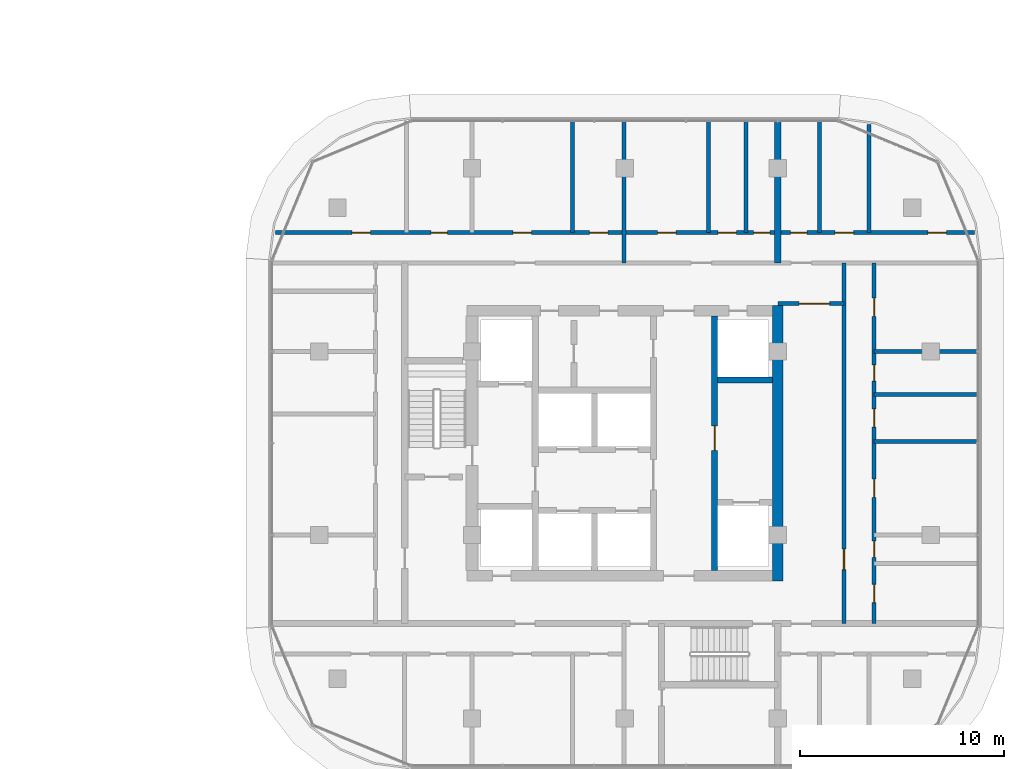
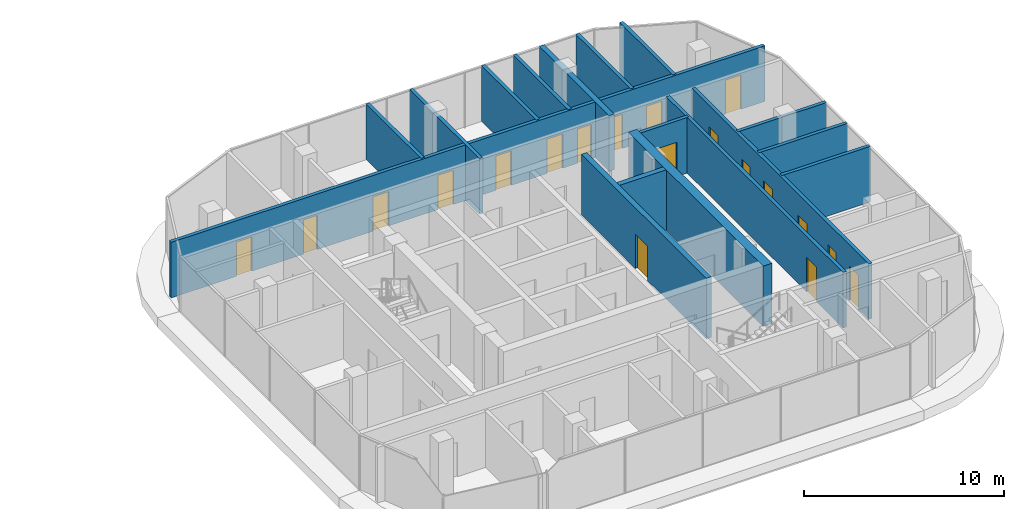
# One storey, part 24 of 36: 19 doors, 17 walls, 19 openings.
"""IFC4 building model written with IfcOpenShell, lengths in metres."""

from ifc_helpers import new_model, si_unit, direction, frame, frame_2d, origin, place, context, subcontext, project, spatial, rectangle, extrude, material, layer, layer_set, type_object, element, fill, save


model = new_model("IFC4")

# Units and contexts
model_context = context("Model", 3, precision=1e-05, world=origin(), true_north=direction((0.0, 1.0)))
body_context = subcontext(model_context, "Body", "Model", "MODEL_VIEW")
ifc_project = project(units=[si_unit("LENGTHUNIT", "METRE"), si_unit("AREAUNIT", "SQUARE_METRE"), si_unit("VOLUMEUNIT", "CUBIC_METRE"), si_unit("PLANEANGLEUNIT", "RADIAN"), si_unit("MASSUNIT", "GRAM", prefix="KILO")], contexts=[model_context])

# Site, building, storey
site_placement = place(None, origin())
site = spatial("IfcSite", under=ifc_project, at=site_placement, CompositionType="ELEMENT")
building_placement = place(site_placement, origin())
building = spatial("IfcBuilding", under=site, at=building_placement, Name="Ogive Portal Towers", CompositionType="ELEMENT")
storey_placement = place(building_placement, frame((0.0, 0.0, 63.10009765625)))
storey = spatial("IfcBuildingStorey", under=building, at=storey_placement, Name="L14", CompositionType="ELEMENT", Elevation=63.10009765625)

# Wall, opening, door
ifc_material_1 = material(Name="Concrete C60/75", Category="concrete")
ifc_layer_1 = layer(ifc_material_1, 0.300048828125)
ifc_layer_set_1 = layer_set([ifc_layer_1], Name="CORE WALL 300 C60")
wall_type_1 = type_object("IfcWallType", Name="CORE WALL 300 C60", PredefinedType="SHEAR", material=ifc_layer_set_1)
wall_1_placement = place(storey_placement, frame((140.89990234375, 24.75, 0.0), z_axis=(0.0, 0.0, 1.0), x_axis=(0.0, 1.0, 0.0)))
wall_1 = element("IfcWall", 1, at=wall_1_placement, inside=storey, type_object=wall_type_1, Name="Tower B core wall BX3 L14", PredefinedType="SHEAR", context=body_context, shape_type="SweptSolid", body=[
    extrude(rectangle(XDim=12.5, YDim=0.300048828125, at=frame_2d((6.25, 0.0))), origin(), (0.0, 0.0, 1.0), 3.699951171875),
])
opening_1_placement = place(wall_1_placement, frame((5.89990234375, 0.0, 0.0)))
opening_1 = element("IfcOpeningElement", 2, at=opening_1_placement, cuts=wall_1, Name="Opening B04-044", PredefinedType="OPENING", context=body_context, shape_type="SweptSolid", body=[
    extrude(rectangle(XDim=1.199951171875, YDim=2.10009765625, at=frame_2d((0.60009765625, 1.050048828125))), frame((0.0, 0.16015625, 0.0), z_axis=(0.0, -1.0, 0.0), x_axis=(1.0, 0.0, 0.0)), (0.0, 0.0, 1.0), 0.320068359375),
])
ifc_material_2 = material(Name="Steel fire door", Category="steel")
door_type_1 = type_object("IfcDoorType", Name="DT-SWING-1200x2100-FD90S", OperationType="SINGLE_SWING_LEFT", PredefinedType="DOOR", material=ifc_material_2)
door_1_placement = place(opening_1_placement, origin())
door_1 = element("IfcDoor", 3, at=door_1_placement, inside=storey, type_object=door_type_1, Name="Door B04-044", OperationType="SINGLE_SWING_RIGHT", OverallHeight=2.10009765625, OverallWidth=1.199951171875, PredefinedType="DOOR", context=body_context, shape_type="SweptSolid", body=[
    extrude(rectangle(XDim=1.199951171875, YDim=2.10009765625, at=frame_2d((0.60009765625, 1.050048828125))), frame((0.0, 0.02490234375, 0.0), z_axis=(0.0, -1.0, 0.0), x_axis=(1.0, 0.0, 0.0)), (0.0, 0.0, 1.0), 0.050048828125),
])
fill(opening_1, door_1)

# Walls
wall_2_placement = place(storey_placement, frame((141.050048828125, 34.10009765625, 0.0), z_axis=(0.0, 0.0, 1.0), x_axis=(1.0, 0.0, 0.0)))
element("IfcWall", 4, at=wall_2_placement, inside=storey, type_object=wall_type_1, Name="Tower B core wall BY7 L14", PredefinedType="SHEAR", context=body_context, shape_type="SweptSolid", body=[
    extrude(rectangle(XDim=2.699951171875, YDim=0.300048828125, at=frame_2d((1.35009765625, 0.0))), origin(), (0.0, 0.0, 1.0), 3.699951171875),
])
ifc_layer_2 = layer(ifc_material_1, 0.5)
ifc_layer_set_2 = layer_set([ifc_layer_2], Name="CORE WALL 500 C60")
wall_type_2 = type_object("IfcWallType", Name="CORE WALL 500 C60", PredefinedType="SHEAR", material=ifc_layer_set_2)
wall_3_placement = place(storey_placement, frame((144.0, 24.25, 0.0), z_axis=(0.0, 0.0, 1.0), x_axis=(0.0, 1.0, 0.0)))
element("IfcWall", 5, at=wall_3_placement, inside=storey, type_object=wall_type_2, Name="Tower B core wall BE L14", PredefinedType="SHEAR", context=body_context, shape_type="SweptSolid", body=[
    extrude(rectangle(XDim=13.5, YDim=0.5, at=frame_2d((6.75, 0.0))), origin(), (0.0, 0.0, 1.0), 3.699951171875),
])
ifc_material_3 = material(Name="Gypsum board partition on steel studs", Category="steel")
ifc_layer_3 = layer(ifc_material_3, 0.199951171875)
ifc_layer_set_3 = layer_set([ifc_layer_3], Name="WT-PART-200-EI 60")
wall_type_3 = type_object("IfcWallType", Name="WT-PART-200-EI 60", PredefinedType="PARTITIONING", material=ifc_layer_set_3)
for number, where, z_axis, x_axis, name in (
    (6, (148.72998046875, 31.091064453125, 0.0), (0.0, 0.0, 1.0), (1.0, 0.0, 0.0), "Wall L14:w011"),
    (7, (148.72998046875, 33.39111328125, 0.0), (0.0, 0.0, 1.0), (1.0, 0.0, 0.0), "Wall L14:w013"),
    (8, (148.72998046875, 35.5, 0.0), (0.0, 0.0, 1.0), (1.0, 0.0, 0.0), "Wall L14:w016"),
):
    element("IfcWall", number, at=place(storey_placement, frame(where, z_axis=z_axis, x_axis=x_axis)), inside=storey, type_object=wall_type_3, Name=name, PredefinedType="PARTITIONING", context=body_context, shape_type="SweptSolid", body=[
        extrude(rectangle(XDim=5.10009765625, YDim=0.199951171875, at=frame_2d((2.550048828125, 0.0))), origin(), (0.0, 0.0, 1.0), 3.39990234375),
    ])

# Wall, opening, door
wall_4_placement = place(storey_placement, frame((144.02001953125, 37.85009765625, 0.0), z_axis=(0.0, 0.0, 1.0), x_axis=(1.0, 0.0, 0.0)))
wall_4 = element("IfcWall", 9, at=wall_4_placement, inside=storey, type_object=wall_type_3, Name="Wall L14:w018", PredefinedType="PARTITIONING", context=body_context, shape_type="SweptSolid", body=[
    extrude(rectangle(XDim=3.22998046875, YDim=0.199951171875, at=frame_2d((1.614990234375, 0.0))), origin(), (0.0, 0.0, 1.0), 3.39990234375),
])
opening_2_placement = place(wall_4_placement, frame((1.030029296875, 0.0, 0.0)))
opening_2 = element("IfcOpeningElement", 10, at=opening_2_placement, cuts=wall_4, Name="Opening B04-001", PredefinedType="OPENING", context=body_context, shape_type="SweptSolid", body=[
    extrude(rectangle(XDim=1.5, YDim=2.10009765625, at=frame_2d((0.75, 1.050048828125))), frame((0.0, 0.10986328125, 0.0), z_axis=(0.0, -1.0, 0.0), x_axis=(1.0, 0.0, 0.0)), (0.0, 0.0, 1.0), 0.219970703125),
])
door_type_2 = type_object("IfcDoorType", Name="DT-SWING-1500x2100-FD60S", OperationType="SINGLE_SWING_LEFT", PredefinedType="DOOR", material=ifc_material_2)
door_2_placement = place(opening_2_placement, origin())
door_2 = element("IfcDoor", 11, at=door_2_placement, inside=storey, type_object=door_type_2, Name="Door B04-001", OperationType="SINGLE_SWING_LEFT", OverallHeight=2.10009765625, OverallWidth=1.5, PredefinedType="DOOR", context=body_context, shape_type="SweptSolid", body=[
    extrude(rectangle(XDim=1.5, YDim=2.10009765625, at=frame_2d((0.75, 1.050048828125))), frame((0.0, 0.02490234375, 0.0), z_axis=(0.0, -1.0, 0.0), x_axis=(1.0, 0.0, 0.0)), (0.0, 0.0, 1.0), 0.050048828125),
])
fill(opening_2, door_2)

# Wall, openings, doors
wall_5_placement = place(storey_placement, frame((119.345947265625, 41.330078125, 0.0), z_axis=(0.0, 0.0, 1.0), x_axis=(1.0, 0.0, 0.0)))
wall_5 = element("IfcWall", 12, at=wall_5_placement, inside=storey, type_object=wall_type_3, Name="Wall L14:w021", PredefinedType="PARTITIONING", context=body_context, shape_type="SweptSolid", body=[
    extrude(rectangle(XDim=34.30810546875, YDim=0.199951171875, at=frame_2d((17.154052734375, 0.0))), origin(), (0.0, 0.0, 1.0), 3.39990234375),
])
opening_3_placement = place(wall_5_placement, frame((3.764892578125, 0.0, 0.0)))
opening_3 = element("IfcOpeningElement", 13, at=opening_3_placement, cuts=wall_5, Name="Opening B04-006", PredefinedType="OPENING", context=body_context, shape_type="SweptSolid", body=[
    extrude(rectangle(XDim=0.89990234375, YDim=2.10009765625, at=frame_2d((0.449951171875, 1.050048828125))), frame((0.0, 0.10986328125, 0.0), z_axis=(0.0, -1.0, 0.0), x_axis=(1.0, 0.0, 0.0)), (0.0, 0.0, 1.0), 0.219970703125),
])
opening_4_placement = place(wall_5_placement, frame((7.64501953125, 0.0, 0.0)))
opening_4 = element("IfcOpeningElement", 14, at=opening_4_placement, cuts=wall_5, Name="Opening B04-007", PredefinedType="OPENING", context=body_context, shape_type="SweptSolid", body=[
    extrude(rectangle(XDim=0.800048828125, YDim=2.10009765625, at=frame_2d((0.39990234375, 1.050048828125))), frame((0.0, 0.10986328125, 0.0), z_axis=(0.0, -1.0, 0.0), x_axis=(1.0, 0.0, 0.0)), (0.0, 0.0, 1.0), 0.219970703125),
])
opening_5_placement = place(wall_5_placement, frame((11.6708984375, 0.0, 0.0)))
opening_5 = element("IfcOpeningElement", 15, at=opening_5_placement, cuts=wall_5, Name="Opening B04-008", PredefinedType="OPENING", context=body_context, shape_type="SweptSolid", body=[
    extrude(rectangle(XDim=0.89990234375, YDim=2.10009765625, at=frame_2d((0.449951171875, 1.050048828125))), frame((0.0, 0.10986328125, 0.0), z_axis=(0.0, -1.0, 0.0), x_axis=(1.0, 0.0, 0.0)), (0.0, 0.0, 1.0), 0.219970703125),
])
opening_6_placement = place(wall_5_placement, frame((15.4208984375, 0.0, 0.0)))
opening_6 = element("IfcOpeningElement", 16, at=opening_6_placement, cuts=wall_5, Name="Opening B04-009", PredefinedType="OPENING", context=body_context, shape_type="SweptSolid", body=[
    extrude(rectangle(XDim=0.89990234375, YDim=2.10009765625, at=frame_2d((0.449951171875, 1.050048828125))), frame((0.0, 0.10986328125, 0.0), z_axis=(0.0, -1.0, 0.0), x_axis=(1.0, 0.0, 0.0)), (0.0, 0.0, 1.0), 0.219970703125),
])
opening_7_placement = place(wall_5_placement, frame((18.756103515625, 0.0, 0.0)))
opening_7 = element("IfcOpeningElement", 17, at=opening_7_placement, cuts=wall_5, Name="Opening B04-011", PredefinedType="OPENING", context=body_context, shape_type="SweptSolid", body=[
    extrude(rectangle(XDim=0.89990234375, YDim=2.10009765625, at=frame_2d((0.449951171875, 1.050048828125))), frame((0.0, 0.10986328125, 0.0), z_axis=(0.0, -1.0, 0.0), x_axis=(1.0, 0.0, 0.0)), (0.0, 0.0, 1.0), 0.219970703125),
])
opening_8_placement = place(wall_5_placement, frame((21.72509765625, 0.0, 0.0)))
opening_8 = element("IfcOpeningElement", 18, at=opening_8_placement, cuts=wall_5, Name="Opening B04-012", PredefinedType="OPENING", context=body_context, shape_type="SweptSolid", body=[
    extrude(rectangle(XDim=0.89990234375, YDim=2.10009765625, at=frame_2d((0.449951171875, 1.050048828125))), frame((0.0, 0.10986328125, 0.0), z_axis=(0.0, -1.0, 0.0), x_axis=(1.0, 0.0, 0.0)), (0.0, 0.0, 1.0), 0.219970703125),
])
opening_9_placement = place(wall_5_placement, frame((23.472900390625, 0.0, 0.0)))
opening_9 = element("IfcOpeningElement", 19, at=opening_9_placement, cuts=wall_5, Name="Opening B04-013", PredefinedType="OPENING", context=body_context, shape_type="SweptSolid", body=[
    extrude(rectangle(XDim=0.800048828125, YDim=2.10009765625, at=frame_2d((0.39990234375, 1.050048828125))), frame((0.0, 0.10986328125, 0.0), z_axis=(0.0, -1.0, 0.0), x_axis=(1.0, 0.0, 0.0)), (0.0, 0.0, 1.0), 0.219970703125),
])
opening_10_placement = place(wall_5_placement, frame((25.281982421875, 0.0, 0.0)))
opening_10 = element("IfcOpeningElement", 20, at=opening_10_placement, cuts=wall_5, Name="Opening B04-015", PredefinedType="OPENING", context=body_context, shape_type="SweptSolid", body=[
    extrude(rectangle(XDim=0.800048828125, YDim=2.10009765625, at=frame_2d((0.39990234375, 1.050048828125))), frame((0.0, 0.10986328125, 0.0), z_axis=(0.0, -1.0, 0.0), x_axis=(1.0, 0.0, 0.0)), (0.0, 0.0, 1.0), 0.219970703125),
])
opening_11_placement = place(wall_5_placement, frame((27.471923828125, 0.0, 0.0)))
opening_11 = element("IfcOpeningElement", 21, at=opening_11_placement, cuts=wall_5, Name="Opening B04-016", PredefinedType="OPENING", context=body_context, shape_type="SweptSolid", body=[
    extrude(rectangle(XDim=0.89990234375, YDim=2.10009765625, at=frame_2d((0.449951171875, 1.050048828125))), frame((0.0, 0.10986328125, 0.0), z_axis=(0.0, -1.0, 0.0), x_axis=(1.0, 0.0, 0.0)), (0.0, 0.0, 1.0), 0.219970703125),
])
opening_12_placement = place(wall_5_placement, frame((32.02490234375, 0.0, 0.0)))
opening_12 = element("IfcOpeningElement", 22, at=opening_12_placement, cuts=wall_5, Name="Opening B04-017", PredefinedType="OPENING", context=body_context, shape_type="SweptSolid", body=[
    extrude(rectangle(XDim=0.89990234375, YDim=2.10009765625, at=frame_2d((0.449951171875, 1.050048828125))), frame((0.0, 0.10986328125, 0.0), z_axis=(0.0, -1.0, 0.0), x_axis=(1.0, 0.0, 0.0)), (0.0, 0.0, 1.0), 0.219970703125),
])
door_type_3 = type_object("IfcDoorType", Name="DT-SWING-800x2100-FD60S", OperationType="SINGLE_SWING_LEFT", PredefinedType="DOOR", material=ifc_material_2)
door_3_placement = place(opening_4_placement, origin())
door_3 = element("IfcDoor", 23, at=door_3_placement, inside=storey, type_object=door_type_3, Name="Door B04-007", OperationType="SINGLE_SWING_LEFT", OverallHeight=2.10009765625, OverallWidth=0.800048828125, PredefinedType="DOOR", context=body_context, shape_type="SweptSolid", body=[
    extrude(rectangle(XDim=0.800048828125, YDim=2.10009765625, at=frame_2d((0.39990234375, 1.050048828125))), frame((0.0, 0.02490234375, 0.0), z_axis=(0.0, -1.0, 0.0), x_axis=(1.0, 0.0, 0.0)), (0.0, 0.0, 1.0), 0.050048828125),
])
fill(opening_4, door_3)
door_4_placement = place(opening_9_placement, origin())
door_4 = element("IfcDoor", 24, at=door_4_placement, inside=storey, type_object=door_type_3, Name="Door B04-013", OperationType="SINGLE_SWING_LEFT", OverallHeight=2.10009765625, OverallWidth=0.800048828125, PredefinedType="DOOR", context=body_context, shape_type="SweptSolid", body=[
    extrude(rectangle(XDim=0.800048828125, YDim=2.10009765625, at=frame_2d((0.39990234375, 1.050048828125))), frame((0.0, 0.02490234375, 0.0), z_axis=(0.0, -1.0, 0.0), x_axis=(1.0, 0.0, 0.0)), (0.0, 0.0, 1.0), 0.050048828125),
])
fill(opening_9, door_4)
door_5_placement = place(opening_10_placement, origin())
door_5 = element("IfcDoor", 25, at=door_5_placement, inside=storey, type_object=door_type_3, Name="Door B04-015", OperationType="SINGLE_SWING_LEFT", OverallHeight=2.10009765625, OverallWidth=0.800048828125, PredefinedType="DOOR", context=body_context, shape_type="SweptSolid", body=[
    extrude(rectangle(XDim=0.800048828125, YDim=2.10009765625, at=frame_2d((0.39990234375, 1.050048828125))), frame((0.0, 0.02490234375, 0.0), z_axis=(0.0, -1.0, 0.0), x_axis=(1.0, 0.0, 0.0)), (0.0, 0.0, 1.0), 0.050048828125),
])
fill(opening_10, door_5)
door_type_4 = type_object("IfcDoorType", Name="DT-SWING-900x2100-FD60S", OperationType="SINGLE_SWING_LEFT", PredefinedType="DOOR", material=ifc_material_2)
door_6_placement = place(opening_3_placement, origin())
door_6 = element("IfcDoor", 26, at=door_6_placement, inside=storey, type_object=door_type_4, Name="Door B04-006", OperationType="SINGLE_SWING_RIGHT", OverallHeight=2.10009765625, OverallWidth=0.89990234375, PredefinedType="DOOR", context=body_context, shape_type="SweptSolid", body=[
    extrude(rectangle(XDim=0.89990234375, YDim=2.10009765625, at=frame_2d((0.449951171875, 1.050048828125))), frame((0.0, 0.02490234375, 0.0), z_axis=(0.0, -1.0, 0.0), x_axis=(1.0, 0.0, 0.0)), (0.0, 0.0, 1.0), 0.050048828125),
])
fill(opening_3, door_6)
door_7_placement = place(opening_5_placement, origin())
door_7 = element("IfcDoor", 27, at=door_7_placement, inside=storey, type_object=door_type_4, Name="Door B04-008", OperationType="SINGLE_SWING_RIGHT", OverallHeight=2.10009765625, OverallWidth=0.89990234375, PredefinedType="DOOR", context=body_context, shape_type="SweptSolid", body=[
    extrude(rectangle(XDim=0.89990234375, YDim=2.10009765625, at=frame_2d((0.449951171875, 1.050048828125))), frame((0.0, 0.02490234375, 0.0), z_axis=(0.0, -1.0, 0.0), x_axis=(1.0, 0.0, 0.0)), (0.0, 0.0, 1.0), 0.050048828125),
])
fill(opening_5, door_7)
door_8_placement = place(opening_6_placement, origin())
door_8 = element("IfcDoor", 28, at=door_8_placement, inside=storey, type_object=door_type_4, Name="Door B04-009", OperationType="SINGLE_SWING_LEFT", OverallHeight=2.10009765625, OverallWidth=0.89990234375, PredefinedType="DOOR", context=body_context, shape_type="SweptSolid", body=[
    extrude(rectangle(XDim=0.89990234375, YDim=2.10009765625, at=frame_2d((0.449951171875, 1.050048828125))), frame((0.0, 0.02490234375, 0.0), z_axis=(0.0, -1.0, 0.0), x_axis=(1.0, 0.0, 0.0)), (0.0, 0.0, 1.0), 0.050048828125),
])
fill(opening_6, door_8)
door_9_placement = place(opening_7_placement, origin())
door_9 = element("IfcDoor", 29, at=door_9_placement, inside=storey, type_object=door_type_4, Name="Door B04-011", OperationType="SINGLE_SWING_LEFT", OverallHeight=2.10009765625, OverallWidth=0.89990234375, PredefinedType="DOOR", context=body_context, shape_type="SweptSolid", body=[
    extrude(rectangle(XDim=0.89990234375, YDim=2.10009765625, at=frame_2d((0.449951171875, 1.050048828125))), frame((0.0, 0.02490234375, 0.0), z_axis=(0.0, -1.0, 0.0), x_axis=(1.0, 0.0, 0.0)), (0.0, 0.0, 1.0), 0.050048828125),
])
fill(opening_7, door_9)
door_10_placement = place(opening_8_placement, origin())
door_10 = element("IfcDoor", 30, at=door_10_placement, inside=storey, type_object=door_type_4, Name="Door B04-012", OperationType="SINGLE_SWING_RIGHT", OverallHeight=2.10009765625, OverallWidth=0.89990234375, PredefinedType="DOOR", context=body_context, shape_type="SweptSolid", body=[
    extrude(rectangle(XDim=0.89990234375, YDim=2.10009765625, at=frame_2d((0.449951171875, 1.050048828125))), frame((0.0, 0.02490234375, 0.0), z_axis=(0.0, -1.0, 0.0), x_axis=(1.0, 0.0, 0.0)), (0.0, 0.0, 1.0), 0.050048828125),
])
fill(opening_8, door_10)
door_11_placement = place(opening_11_placement, origin())
door_11 = element("IfcDoor", 31, at=door_11_placement, inside=storey, type_object=door_type_4, Name="Door B04-016", OperationType="SINGLE_SWING_RIGHT", OverallHeight=2.10009765625, OverallWidth=0.89990234375, PredefinedType="DOOR", context=body_context, shape_type="SweptSolid", body=[
    extrude(rectangle(XDim=0.89990234375, YDim=2.10009765625, at=frame_2d((0.449951171875, 1.050048828125))), frame((0.0, 0.02490234375, 0.0), z_axis=(0.0, -1.0, 0.0), x_axis=(1.0, 0.0, 0.0)), (0.0, 0.0, 1.0), 0.050048828125),
])
fill(opening_11, door_11)
door_12_placement = place(opening_12_placement, origin())
door_12 = element("IfcDoor", 32, at=door_12_placement, inside=storey, type_object=door_type_4, Name="Door B04-017", OperationType="SINGLE_SWING_LEFT", OverallHeight=2.10009765625, OverallWidth=0.89990234375, PredefinedType="DOOR", context=body_context, shape_type="SweptSolid", body=[
    extrude(rectangle(XDim=0.89990234375, YDim=2.10009765625, at=frame_2d((0.449951171875, 1.050048828125))), frame((0.0, 0.02490234375, 0.0), z_axis=(0.0, -1.0, 0.0), x_axis=(1.0, 0.0, 0.0)), (0.0, 0.0, 1.0), 0.050048828125),
])
fill(opening_12, door_12)

# Walls
wall_6_placement = place(storey_placement, frame((133.93310546875, 41.330078125, 0.0), z_axis=(0.0, 0.0, 1.0), x_axis=(0.0, 1.0, 0.0)))
element("IfcWall", 33, at=wall_6_placement, inside=storey, type_object=wall_type_3, Name="Wall L14:w031", PredefinedType="PARTITIONING", context=body_context, shape_type="SweptSolid", body=[
    extrude(rectangle(XDim=5.5, YDim=0.199951171875, at=frame_2d((2.75, 0.0))), origin(), (0.0, 0.0, 1.0), 3.39990234375),
])
wall_7_placement = place(storey_placement, frame((136.449951171875, 39.85009765625, 0.0), z_axis=(0.0, 0.0, 1.0), x_axis=(0.0, 1.0, 0.0)))
element("IfcWall", 34, at=wall_7_placement, inside=storey, type_object=wall_type_3, Name="Wall L14:w034", PredefinedType="PARTITIONING", context=body_context, shape_type="SweptSolid", body=[
    extrude(rectangle(XDim=6.97998046875, YDim=0.199951171875, at=frame_2d((3.489990234375, 0.0))), origin(), (0.0, 0.0, 1.0), 3.39990234375),
])
for number, where, z_axis, x_axis, name in (
    (35, (140.60400390625, 41.330078125, 0.0), (0.0, 0.0, 1.0), (0.0, 1.0, 0.0), "Wall L14:w036"),
    (36, (142.43798828125, 41.330078125, 0.0), (0.0, 0.0, 1.0), (0.0, 1.0, 0.0), "Wall L14:w037"),
    (37, (146.054931640625, 41.330078125, 0.0), (0.0, 0.0, 1.0), (0.0, 1.0, 0.0), "Wall L14:w043"),
):
    element("IfcWall", number, at=place(storey_placement, frame(where, z_axis=z_axis, x_axis=x_axis)), inside=storey, type_object=wall_type_3, Name=name, PredefinedType="PARTITIONING", context=body_context, shape_type="SweptSolid", body=[
        extrude(rectangle(XDim=5.5, YDim=0.199951171875, at=frame_2d((2.75, 0.0))), origin(), (0.0, 0.0, 1.0), 3.39990234375),
    ])

# Wall, opening, door
wall_8_placement = place(storey_placement, frame((147.25, 22.14990234375, 0.0), z_axis=(0.0, 0.0, 1.0), x_axis=(0.0, 1.0, 0.0)))
wall_8 = element("IfcWall", 38, at=wall_8_placement, inside=storey, type_object=wall_type_3, Name="Wall L14:w044", PredefinedType="PARTITIONING", context=body_context, shape_type="SweptSolid", body=[
    extrude(rectangle(XDim=17.7001953125, YDim=0.199951171875, at=frame_2d((8.85009765625, 0.0))), origin(), (0.0, 0.0, 1.0), 3.39990234375),
])
opening_13_placement = place(wall_8_placement, frame((2.64990234375, 0.0, 0.0)))
opening_13 = element("IfcOpeningElement", 39, at=opening_13_placement, cuts=wall_8, Name="Opening B04-035", PredefinedType="OPENING", context=body_context, shape_type="SweptSolid", body=[
    extrude(rectangle(XDim=1.0, YDim=2.10009765625, at=frame_2d((0.5, 1.050048828125))), frame((0.0, 0.10986328125, 0.0), z_axis=(0.0, -1.0, 0.0), x_axis=(1.0, 0.0, 0.0)), (0.0, 0.0, 1.0), 0.219970703125),
])
door_type_5 = type_object("IfcDoorType", Name="DT-SWING-1000x2100-FD60S", OperationType="SINGLE_SWING_LEFT", PredefinedType="DOOR", material=ifc_material_2)
door_13_placement = place(opening_13_placement, origin())
door_13 = element("IfcDoor", 40, at=door_13_placement, inside=storey, type_object=door_type_5, Name="Door B04-035", OperationType="SINGLE_SWING_LEFT", OverallHeight=2.10009765625, OverallWidth=1.0, PredefinedType="DOOR", context=body_context, shape_type="SweptSolid", body=[
    extrude(rectangle(XDim=1.0, YDim=2.10009765625, at=frame_2d((0.5, 1.050048828125))), frame((0.0, 0.02490234375, 0.0), z_axis=(0.0, -1.0, 0.0), x_axis=(1.0, 0.0, 0.0)), (0.0, 0.0, 1.0), 0.050048828125),
])
fill(opening_13, door_13)

# Wall
wall_9_placement = place(storey_placement, frame((148.48193359375, 41.330078125, 0.0), z_axis=(0.0, 0.0, 1.0), x_axis=(0.0, 1.0, 0.0)))
element("IfcWall", 41, at=wall_9_placement, inside=storey, type_object=wall_type_3, Name="Wall L14:w046", PredefinedType="PARTITIONING", context=body_context, shape_type="SweptSolid", body=[
    extrude(rectangle(XDim=5.303955078125, YDim=0.199951171875, at=frame_2d((2.65185546875, 0.0))), origin(), (0.0, 0.0, 1.0), 3.39990234375),
])

# Wall, openings, doors
wall_10_placement = place(storey_placement, frame((148.72998046875, 22.14990234375, 0.0), z_axis=(0.0, 0.0, 1.0), x_axis=(0.0, 1.0, 0.0)))
wall_10 = element("IfcWall", 42, at=wall_10_placement, inside=storey, type_object=wall_type_3, Name="Wall L14:w047", PredefinedType="PARTITIONING", context=body_context, shape_type="SweptSolid", body=[
    extrude(rectangle(XDim=17.7001953125, YDim=0.199951171875, at=frame_2d((8.85009765625, 0.0))), origin(), (0.0, 0.0, 1.0), 3.39990234375),
])
opening_14_placement = place(wall_10_placement, frame((1.028076171875, 0.0, 0.0)))
opening_14 = element("IfcOpeningElement", 43, at=opening_14_placement, cuts=wall_10, Name="Opening B04-036", PredefinedType="OPENING", context=body_context, shape_type="SweptSolid", body=[
    extrude(rectangle(XDim=0.89990234375, YDim=2.10009765625, at=frame_2d((0.449951171875, 1.050048828125))), frame((0.0, 0.10986328125, 0.0), z_axis=(0.0, -1.0, 0.0), x_axis=(1.0, 0.0, 0.0)), (0.0, 0.0, 1.0), 0.219970703125),
])
opening_15_placement = place(wall_10_placement, frame((3.2529296875, 0.0, 0.0)))
opening_15 = element("IfcOpeningElement", 44, at=opening_15_placement, cuts=wall_10, Name="Opening B04-037", PredefinedType="OPENING", context=body_context, shape_type="SweptSolid", body=[
    extrude(rectangle(XDim=0.800048828125, YDim=2.10009765625, at=frame_2d((0.39990234375, 1.050048828125))), frame((0.0, 0.10986328125, 0.0), z_axis=(0.0, -1.0, 0.0), x_axis=(1.0, 0.0, 0.0)), (0.0, 0.0, 1.0), 0.219970703125),
])
opening_16_placement = place(wall_10_placement, frame((6.195068359375, 0.0, 0.0)))
opening_16 = element("IfcOpeningElement", 45, at=opening_16_placement, cuts=wall_10, Name="Opening B04-038", PredefinedType="OPENING", context=body_context, shape_type="SweptSolid", body=[
    extrude(rectangle(XDim=0.89990234375, YDim=2.10009765625, at=frame_2d((0.449951171875, 1.050048828125))), frame((0.0, 0.10986328125, 0.0), z_axis=(0.0, -1.0, 0.0), x_axis=(1.0, 0.0, 0.0)), (0.0, 0.0, 1.0), 0.219970703125),
])
opening_17_placement = place(wall_10_placement, frame((9.64111328125, 0.0, 0.0)))
opening_17 = element("IfcOpeningElement", 46, at=opening_17_placement, cuts=wall_10, Name="Opening B04-039", PredefinedType="OPENING", context=body_context, shape_type="SweptSolid", body=[
    extrude(rectangle(XDim=0.89990234375, YDim=2.10009765625, at=frame_2d((0.449951171875, 1.050048828125))), frame((0.0, 0.10986328125, 0.0), z_axis=(0.0, -1.0, 0.0), x_axis=(1.0, 0.0, 0.0)), (0.0, 0.0, 1.0), 0.219970703125),
])
opening_18_placement = place(wall_10_placement, frame((11.89501953125, 0.0, 0.0)))
opening_18 = element("IfcOpeningElement", 47, at=opening_18_placement, cuts=wall_10, Name="Opening B04-040", PredefinedType="OPENING", context=body_context, shape_type="SweptSolid", body=[
    extrude(rectangle(XDim=0.800048828125, YDim=2.10009765625, at=frame_2d((0.39990234375, 1.050048828125))), frame((0.0, 0.10986328125, 0.0), z_axis=(0.0, -1.0, 0.0), x_axis=(1.0, 0.0, 0.0)), (0.0, 0.0, 1.0), 0.219970703125),
])
opening_19_placement = place(wall_10_placement, frame((15.074951171875, 0.0, 0.0)))
opening_19 = element("IfcOpeningElement", 48, at=opening_19_placement, cuts=wall_10, Name="Opening B04-041", PredefinedType="OPENING", context=body_context, shape_type="SweptSolid", body=[
    extrude(rectangle(XDim=0.89990234375, YDim=2.10009765625, at=frame_2d((0.449951171875, 1.050048828125))), frame((0.0, 0.10986328125, 0.0), z_axis=(0.0, -1.0, 0.0), x_axis=(1.0, 0.0, 0.0)), (0.0, 0.0, 1.0), 0.219970703125),
])
door_14_placement = place(opening_15_placement, origin())
door_14 = element("IfcDoor", 49, at=door_14_placement, inside=storey, type_object=door_type_3, Name="Door B04-037", OperationType="SINGLE_SWING_LEFT", OverallHeight=2.10009765625, OverallWidth=0.800048828125, PredefinedType="DOOR", context=body_context, shape_type="SweptSolid", body=[
    extrude(rectangle(XDim=0.800048828125, YDim=2.10009765625, at=frame_2d((0.39990234375, 1.050048828125))), frame((0.0, 0.02490234375, 0.0), z_axis=(0.0, -1.0, 0.0), x_axis=(1.0, 0.0, 0.0)), (0.0, 0.0, 1.0), 0.050048828125),
])
fill(opening_15, door_14)
door_15_placement = place(opening_18_placement, origin())
door_15 = element("IfcDoor", 50, at=door_15_placement, inside=storey, type_object=door_type_3, Name="Door B04-040", OperationType="SINGLE_SWING_RIGHT", OverallHeight=2.10009765625, OverallWidth=0.800048828125, PredefinedType="DOOR", context=body_context, shape_type="SweptSolid", body=[
    extrude(rectangle(XDim=0.800048828125, YDim=2.10009765625, at=frame_2d((0.39990234375, 1.050048828125))), frame((0.0, 0.02490234375, 0.0), z_axis=(0.0, -1.0, 0.0), x_axis=(1.0, 0.0, 0.0)), (0.0, 0.0, 1.0), 0.050048828125),
])
fill(opening_18, door_15)
door_16_placement = place(opening_14_placement, origin())
door_16 = element("IfcDoor", 51, at=door_16_placement, inside=storey, type_object=door_type_4, Name="Door B04-036", OperationType="SINGLE_SWING_RIGHT", OverallHeight=2.10009765625, OverallWidth=0.89990234375, PredefinedType="DOOR", context=body_context, shape_type="SweptSolid", body=[
    extrude(rectangle(XDim=0.89990234375, YDim=2.10009765625, at=frame_2d((0.449951171875, 1.050048828125))), frame((0.0, 0.02490234375, 0.0), z_axis=(0.0, -1.0, 0.0), x_axis=(1.0, 0.0, 0.0)), (0.0, 0.0, 1.0), 0.050048828125),
])
fill(opening_14, door_16)
door_17_placement = place(opening_16_placement, origin())
door_17 = element("IfcDoor", 52, at=door_17_placement, inside=storey, type_object=door_type_4, Name="Door B04-038", OperationType="SINGLE_SWING_RIGHT", OverallHeight=2.10009765625, OverallWidth=0.89990234375, PredefinedType="DOOR", context=body_context, shape_type="SweptSolid", body=[
    extrude(rectangle(XDim=0.89990234375, YDim=2.10009765625, at=frame_2d((0.449951171875, 1.050048828125))), frame((0.0, 0.02490234375, 0.0), z_axis=(0.0, -1.0, 0.0), x_axis=(1.0, 0.0, 0.0)), (0.0, 0.0, 1.0), 0.050048828125),
])
fill(opening_16, door_17)
door_18_placement = place(opening_17_placement, origin())
door_18 = element("IfcDoor", 53, at=door_18_placement, inside=storey, type_object=door_type_4, Name="Door B04-039", OperationType="SINGLE_SWING_LEFT", OverallHeight=2.10009765625, OverallWidth=0.89990234375, PredefinedType="DOOR", context=body_context, shape_type="SweptSolid", body=[
    extrude(rectangle(XDim=0.89990234375, YDim=2.10009765625, at=frame_2d((0.449951171875, 1.050048828125))), frame((0.0, 0.02490234375, 0.0), z_axis=(0.0, -1.0, 0.0), x_axis=(1.0, 0.0, 0.0)), (0.0, 0.0, 1.0), 0.050048828125),
])
fill(opening_17, door_18)
door_19_placement = place(opening_19_placement, origin())
door_19 = element("IfcDoor", 54, at=door_19_placement, inside=storey, type_object=door_type_4, Name="Door B04-041", OperationType="SINGLE_SWING_LEFT", OverallHeight=2.10009765625, OverallWidth=0.89990234375, PredefinedType="DOOR", context=body_context, shape_type="SweptSolid", body=[
    extrude(rectangle(XDim=0.89990234375, YDim=2.10009765625, at=frame_2d((0.449951171875, 1.050048828125))), frame((0.0, 0.02490234375, 0.0), z_axis=(0.0, -1.0, 0.0), x_axis=(1.0, 0.0, 0.0)), (0.0, 0.0, 1.0), 0.050048828125),
])
fill(opening_19, door_19)

# Wall
ifc_layer_4 = layer(ifc_material_3, 0.300048828125)
ifc_layer_set_4 = layer_set([ifc_layer_4], Name="WT-PART-300-EI 60")
wall_type_4 = type_object("IfcWallType", Name="WT-PART-300-EI 60", PredefinedType="PARTITIONING", material=ifc_layer_set_4)
wall_11_placement = place(storey_placement, frame((144.0, 39.85009765625, 0.0), z_axis=(0.0, 0.0, 1.0), x_axis=(0.0, 1.0, 0.0)))
element("IfcWall", 55, at=wall_11_placement, inside=storey, type_object=wall_type_4, Name="Wall L14:w039", PredefinedType="PARTITIONING", context=body_context, shape_type="SweptSolid", body=[
    extrude(rectangle(XDim=6.97998046875, YDim=0.300048828125, at=frame_2d((3.489990234375, 0.0))), origin(), (0.0, 0.0, 1.0), 3.39990234375),
])

save(model, "model.ifc")
